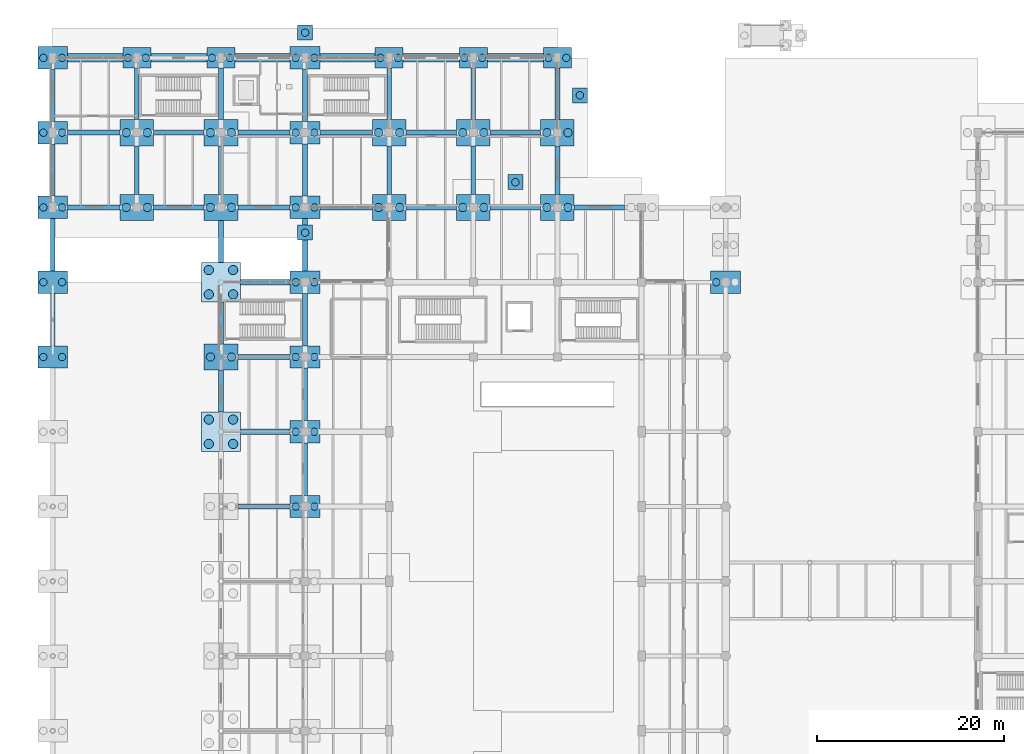
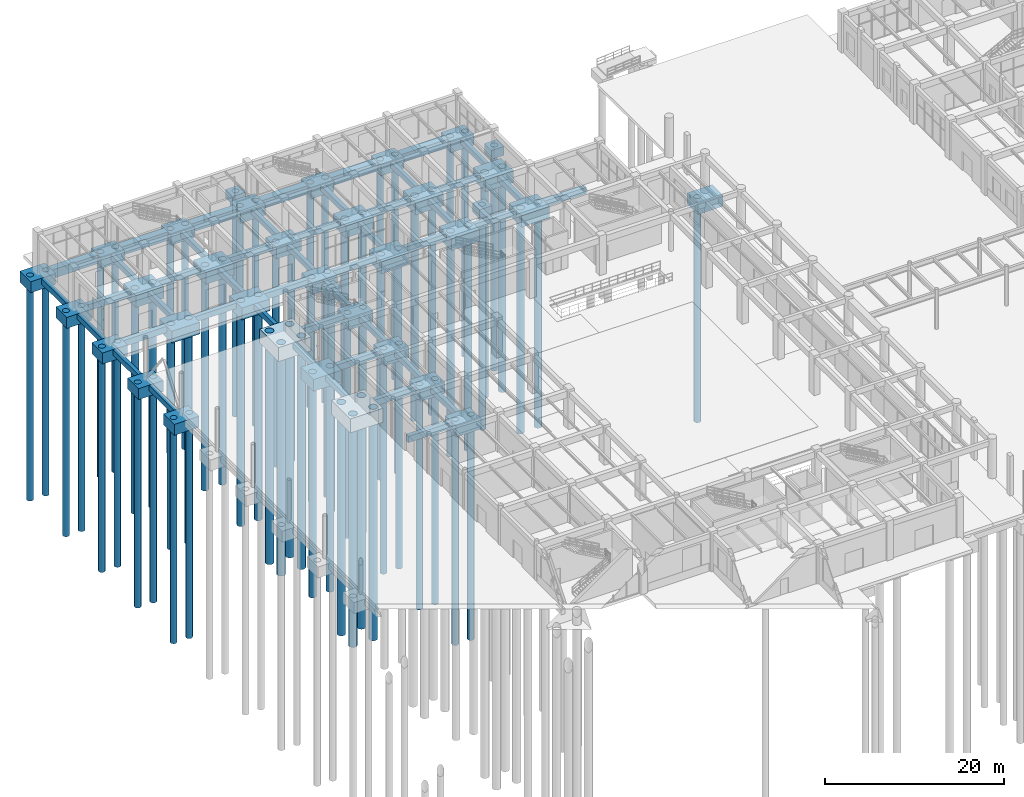
# One storey, part 2 of 121: 81 footings, 69 piles.
"""IFC4 building model written with IfcOpenShell, lengths in metres."""

from ifc_helpers import new_model, si_unit, derived_unit, direction, frame, origin, origin_2d, place, context, subcontext, project, spatial, rectangle, circle, extrude, material, material_profile, profile_set, type_object, element, save


model = new_model("IFC4")

# Units and contexts
model_context = context("Model", 3, precision=1e-05, world=origin(), true_north=direction((0.0, 1.0)))
body_context = subcontext(model_context, "Body", "Model", "MODEL_VIEW")
ifc_project = project(units=[si_unit("LENGTHUNIT", "METRE"), si_unit("AREAUNIT", "SQUARE_METRE"), si_unit("VOLUMEUNIT", "CUBIC_METRE"), si_unit("PLANEANGLEUNIT", "RADIAN"), si_unit("MASSUNIT", "GRAM", prefix="KILO"), derived_unit("THERMALTRANSMITTANCEUNIT", [(si_unit("MASSUNIT", "GRAM", prefix="KILO"), 1), (si_unit("TIMEUNIT", "SECOND"), -3), (si_unit("THERMODYNAMICTEMPERATUREUNIT", "KELVIN"), -1)])], contexts=[model_context])

# Site, building, storey
site_placement = place(None, origin())
site = spatial("IfcSite", under=ifc_project, at=site_placement, CompositionType="ELEMENT")
building_placement = place(site_placement, origin())
building = spatial("IfcBuilding", under=site, at=building_placement, Name="Zhenchuan Archway Interchange", CompositionType="ELEMENT")
storey_placement = place(building_placement, origin())
storey = spatial("IfcBuildingStorey", under=building, at=storey_placement, Name="L00", CompositionType="ELEMENT", Elevation=0.0)

# Footings
ifc_material_1 = material(Name="Concrete C40", Category="concrete")
ifc_material_profile_1 = material_profile(ifc_material_1, rectangle(XDim=0.550048828125, YDim=0.85009765625, at=origin_2d()), Name="RC 550x850")
ifc_profile_set_1 = profile_set([ifc_material_profile_1], Name="Concrete C40")
footing_type_1 = type_object("IfcFootingType", Name="FB_GROUND_3", PredefinedType="FOOTING_BEAM", material=ifc_profile_set_1)
footing_1_placement = place(storey_placement, frame((19.800048828125, 64.0, -0.844970703125), z_axis=(1.0, 0.0, 0.0), x_axis=(0.0, 1.0, 0.0)))
element("IfcFooting", 1, at=footing_1_placement, inside=storey, type_object=footing_type_1, Name="Ground tie beam J:3-4 (L00)", PredefinedType="FOOTING_BEAM", context=body_context, shape_type="SweptSolid", body=[
    extrude(rectangle(XDim=0.550048828125, YDim=0.85009765625, at=origin_2d()), origin(), (0.0, 0.0, 1.0), 5.599853515625),
])
footing_2_placement = place(storey_placement, frame((20.10009765625, 72.0, -0.844970703125), z_axis=(1.0, 0.0, 0.0), x_axis=(0.0, 1.0, 0.0)))
element("IfcFooting", 2, at=footing_2_placement, inside=storey, type_object=footing_type_1, Name="Ground tie beam K:3-4 (L00)", PredefinedType="FOOTING_BEAM", context=body_context, shape_type="SweptSolid", body=[
    extrude(rectangle(XDim=0.550048828125, YDim=0.85009765625, at=origin_2d()), origin(), (0.0, 0.0, 1.0), 5.2998046875),
])
footing_3_placement = place(storey_placement, frame((19.800048828125, 80.0, -0.844970703125), z_axis=(1.0, 0.0, 0.0), x_axis=(0.0, 1.0, 0.0)))
element("IfcFooting", 3, at=footing_3_placement, inside=storey, type_object=footing_type_1, Name="Ground tie beam L:3-4 (L00)", PredefinedType="FOOTING_BEAM", context=body_context, shape_type="SweptSolid", body=[
    extrude(rectangle(XDim=0.550048828125, YDim=0.85009765625, at=origin_2d()), origin(), (0.0, 0.0, 1.0), 5.599853515625),
])
footing_4_placement = place(storey_placement, frame((20.10009765625, 88.0, -0.844970703125), z_axis=(1.0, 0.0, 0.0), x_axis=(0.0, 1.0, 0.0)))
element("IfcFooting", 4, at=footing_4_placement, inside=storey, type_object=footing_type_1, Name="Ground tie beam M:3-4 (L00)", PredefinedType="FOOTING_BEAM", context=body_context, shape_type="SweptSolid", body=[
    extrude(rectangle(XDim=0.550048828125, YDim=0.85009765625, at=origin_2d()), origin(), (0.0, 0.0, 1.0), 5.2998046875),
])
for number, where, z_axis, x_axis, name in (
    (5, (1.60009765625, 96.0, -0.844970703125), (1.0, 0.0, 0.0), (0.0, 1.0, 0.0), "Ground tie beam N:1-2 (L00)"),
    (6, (19.800048828125, 96.0, -0.844970703125), (1.0, 0.0, 0.0), (0.0, 1.0, 0.0), "Ground tie beam N:3-4 (L00)"),
):
    element("IfcFooting", number, at=place(storey_placement, frame(where, z_axis=z_axis, x_axis=x_axis)), inside=storey, type_object=footing_type_1, Name=name, PredefinedType="FOOTING_BEAM", context=body_context, shape_type="SweptSolid", body=[
        extrude(rectangle(XDim=0.550048828125, YDim=0.85009765625, at=origin_2d()), origin(), (0.0, 0.0, 1.0), 5.599853515625),
    ])
for number, where, z_axis, x_axis, name in (
    (7, (37.800048828125, 96.0, -0.844970703125), (1.0, 0.0, 0.0), (0.0, 1.0, 0.0), "Ground tie beam N:5-6 (L00)"),
    (8, (55.800048828125, 96.0, -0.844970703125), (1.0, 0.0, 0.0), (0.0, 1.0, 0.0), "Ground tie beam N:7-8 (L00)"),
):
    element("IfcFooting", number, at=place(storey_placement, frame(where, z_axis=z_axis, x_axis=x_axis)), inside=storey, type_object=footing_type_1, Name=name, PredefinedType="FOOTING_BEAM", context=body_context, shape_type="SweptSolid", body=[
        extrude(rectangle(XDim=0.550048828125, YDim=0.85009765625, at=origin_2d()), origin(), (0.0, 0.0, 1.0), 5.39990234375),
    ])
for number, where, z_axis, x_axis, name in (
    (9, (1.60009765625, 104.0, -0.844970703125), (1.0, 0.0, 0.0), (0.0, 1.0, 0.0), "Ground tie beam O:1-2 (L00)"),
    (10, (19.800048828125, 104.0, -0.844970703125), (1.0, 0.0, 0.0), (0.0, 1.0, 0.0), "Ground tie beam O:3-4 (L00)"),
):
    element("IfcFooting", number, at=place(storey_placement, frame(where, z_axis=z_axis, x_axis=x_axis)), inside=storey, type_object=footing_type_1, Name=name, PredefinedType="FOOTING_BEAM", context=body_context, shape_type="SweptSolid", body=[
        extrude(rectangle(XDim=0.550048828125, YDim=0.85009765625, at=origin_2d()), origin(), (0.0, 0.0, 1.0), 5.599853515625),
    ])
footing_5_placement = place(storey_placement, frame((37.800048828125, 104.0, -0.844970703125), z_axis=(1.0, 0.0, 0.0), x_axis=(0.0, 1.0, 0.0)))
element("IfcFooting", 11, at=footing_5_placement, inside=storey, type_object=footing_type_1, Name="Ground tie beam O:5-6 (L00)", PredefinedType="FOOTING_BEAM", context=body_context, shape_type="SweptSolid", body=[
    extrude(rectangle(XDim=0.550048828125, YDim=0.85009765625, at=origin_2d()), origin(), (0.0, 0.0, 1.0), 5.39990234375),
])
ifc_material_profile_2 = material_profile(ifc_material_1, rectangle(XDim=0.5, YDim=0.75, at=origin_2d()), Name="RC 500x750")
ifc_profile_set_2 = profile_set([ifc_material_profile_2], Name="Concrete C40")
footing_type_2 = type_object("IfcFootingType", Name="FB_GROUND_4", PredefinedType="FOOTING_BEAM", material=ifc_profile_set_2)
footing_6_placement = place(storey_placement, frame((10.800048828125, 96.0, -0.794921875), z_axis=(1.0, 0.0, 0.0), x_axis=(0.0, 1.0, 0.0)))
element("IfcFooting", 12, at=footing_6_placement, inside=storey, type_object=footing_type_2, Name="Ground tie beam N:2-3 (L00)", PredefinedType="FOOTING_BEAM", context=body_context, shape_type="SweptSolid", body=[
    extrude(rectangle(XDim=0.5, YDim=0.75, at=origin_2d()), origin(), (0.0, 0.0, 1.0), 5.39990234375),
])
footing_7_placement = place(storey_placement, frame((28.60009765625, 96.0, -0.794921875), z_axis=(1.0, 0.0, 0.0), x_axis=(0.0, 1.0, 0.0)))
element("IfcFooting", 13, at=footing_7_placement, inside=storey, type_object=footing_type_2, Name="Ground tie beam N:4-5 (L00)", PredefinedType="FOOTING_BEAM", context=body_context, shape_type="SweptSolid", body=[
    extrude(rectangle(XDim=0.5, YDim=0.75, at=origin_2d()), origin(), (0.0, 0.0, 1.0), 5.599853515625),
])
for number, where, z_axis, x_axis, name in (
    (14, (46.800048828125, 96.0, -0.794921875), (1.0, 0.0, 0.0), (0.0, 1.0, 0.0), "Ground tie beam N:6-7 (L00)"),
    (15, (10.800048828125, 104.0, -0.794921875), (1.0, 0.0, 0.0), (0.0, 1.0, 0.0), "Ground tie beam O:2-3 (L00)"),
):
    element("IfcFooting", number, at=place(storey_placement, frame(where, z_axis=z_axis, x_axis=x_axis)), inside=storey, type_object=footing_type_2, Name=name, PredefinedType="FOOTING_BEAM", context=body_context, shape_type="SweptSolid", body=[
        extrude(rectangle(XDim=0.5, YDim=0.75, at=origin_2d()), origin(), (0.0, 0.0, 1.0), 5.39990234375),
    ])
footing_8_placement = place(storey_placement, frame((28.60009765625, 104.0, -0.794921875), z_axis=(1.0, 0.0, 0.0), x_axis=(0.0, 1.0, 0.0)))
element("IfcFooting", 16, at=footing_8_placement, inside=storey, type_object=footing_type_2, Name="Ground tie beam O:4-5 (L00)", PredefinedType="FOOTING_BEAM", context=body_context, shape_type="SweptSolid", body=[
    extrude(rectangle(XDim=0.5, YDim=0.75, at=origin_2d()), origin(), (0.0, 0.0, 1.0), 5.599853515625),
])
footing_9_placement = place(storey_placement, frame((46.800048828125, 104.0, -0.794921875), z_axis=(1.0, 0.0, 0.0), x_axis=(0.0, 1.0, 0.0)))
element("IfcFooting", 17, at=footing_9_placement, inside=storey, type_object=footing_type_2, Name="Ground tie beam O:6-7 (L00)", PredefinedType="FOOTING_BEAM", context=body_context, shape_type="SweptSolid", body=[
    extrude(rectangle(XDim=0.5, YDim=0.75, at=origin_2d()), origin(), (0.0, 0.0, 1.0), 5.39990234375),
])
for number, where, z_axis, x_axis, name in (
    (18, (0.0, 81.199951171875, -0.794921875), (0.0, 1.0, 0.0), (-1.0, 0.0, 0.0), "Ground tie beam 1:L-M (L00)"),
    (19, (0.0, 89.199951171875, -0.794921875), (0.0, 1.0, 0.0), (-1.0, 0.0, 0.0), "Ground tie beam 1:M-N (L00)"),
    (20, (0.0, 97.199951171875, -0.794921875), (0.0, 1.0, 0.0), (-1.0, 0.0, 0.0), "Ground tie beam 1:N-O (L00)"),
    (21, (0.0, 105.199951171875, -0.794921875), (0.0, 1.0, 0.0), (-1.0, 0.0, 0.0), "Ground tie beam 1:O-P (L00)"),
):
    element("IfcFooting", number, at=place(storey_placement, frame(where, z_axis=z_axis, x_axis=x_axis)), inside=storey, type_object=footing_type_2, Name=name, PredefinedType="FOOTING_BEAM", context=body_context, shape_type="SweptSolid", body=[
        extrude(rectangle(XDim=0.5, YDim=0.75, at=origin_2d()), origin(), (0.0, 0.0, 1.0), 5.60009765625),
    ])
footing_10_placement = place(storey_placement, frame((9.0, 97.39990234375, -0.794921875), z_axis=(0.0, 1.0, 0.0), x_axis=(-1.0, 0.0, 0.0)))
element("IfcFooting", 22, at=footing_10_placement, inside=storey, type_object=footing_type_2, Name="Ground tie beam 2:N-O (L00)", PredefinedType="FOOTING_BEAM", context=body_context, shape_type="SweptSolid", body=[
    extrude(rectangle(XDim=0.5, YDim=0.75, at=origin_2d()), origin(), (0.0, 0.0, 1.0), 5.2001953125),
])
footing_11_placement = place(storey_placement, frame((9.0, 105.39990234375, -0.794921875), z_axis=(0.0, 1.0, 0.0), x_axis=(-1.0, 0.0, 0.0)))
element("IfcFooting", 23, at=footing_11_placement, inside=storey, type_object=footing_type_2, Name="Ground tie beam 2:O-P (L00)", PredefinedType="FOOTING_BEAM", context=body_context, shape_type="SweptSolid", body=[
    extrude(rectangle(XDim=0.5, YDim=0.75, at=origin_2d()), origin(), (0.0, 0.0, 1.0), 5.5),
])
for number, where, z_axis, x_axis, name in (
    (24, (18.0, 74.10009765625, -0.794921875), (0.0, 1.0, 0.0), (-1.0, 0.0, 0.0), "Ground tie beam 3:K-L (L00)"),
    (25, (18.0, 81.39990234375, -0.794921875), (0.0, 1.0, 0.0), (-1.0, 0.0, 0.0), "Ground tie beam 3:L-M (L00)"),
    (26, (18.0, 90.10009765625, -0.794921875), (0.0, 1.0, 0.0), (-1.0, 0.0, 0.0), "Ground tie beam 3:M-N (L00)"),
):
    element("IfcFooting", number, at=place(storey_placement, frame(where, z_axis=z_axis, x_axis=x_axis)), inside=storey, type_object=footing_type_2, Name=name, PredefinedType="FOOTING_BEAM", context=body_context, shape_type="SweptSolid", body=[
        extrude(rectangle(XDim=0.5, YDim=0.75, at=origin_2d()), origin(), (0.0, 0.0, 1.0), 4.5),
    ])
footing_12_placement = place(storey_placement, frame((18.0, 97.39990234375, -0.794921875), z_axis=(0.0, 1.0, 0.0), x_axis=(-1.0, 0.0, 0.0)))
element("IfcFooting", 27, at=footing_12_placement, inside=storey, type_object=footing_type_2, Name="Ground tie beam 3:N-O (L00)", PredefinedType="FOOTING_BEAM", context=body_context, shape_type="SweptSolid", body=[
    extrude(rectangle(XDim=0.5, YDim=0.75, at=origin_2d()), origin(), (0.0, 0.0, 1.0), 5.2001953125),
])
footing_13_placement = place(storey_placement, frame((18.0, 105.39990234375, -0.794921875), z_axis=(0.0, 1.0, 0.0), x_axis=(-1.0, 0.0, 0.0)))
element("IfcFooting", 28, at=footing_13_placement, inside=storey, type_object=footing_type_2, Name="Ground tie beam 3:O-P (L00)", PredefinedType="FOOTING_BEAM", context=body_context, shape_type="SweptSolid", body=[
    extrude(rectangle(XDim=0.5, YDim=0.75, at=origin_2d()), origin(), (0.0, 0.0, 1.0), 5.5),
])
for number, where, z_axis, x_axis, name in (
    (29, (27.0, 65.199951171875, -0.794921875), (0.0, 1.0, 0.0), (-1.0, 0.0, 0.0), "Ground tie beam 4:J-K (L00)"),
    (30, (27.0, 73.199951171875, -0.794921875), (0.0, 1.0, 0.0), (-1.0, 0.0, 0.0), "Ground tie beam 4:K-L (L00)"),
    (31, (27.0, 81.199951171875, -0.794921875), (0.0, 1.0, 0.0), (-1.0, 0.0, 0.0), "Ground tie beam 4:L-M (L00)"),
    (32, (27.0, 89.199951171875, -0.794921875), (0.0, 1.0, 0.0), (-1.0, 0.0, 0.0), "Ground tie beam 4:M-N (L00)"),
    (33, (27.0, 97.199951171875, -0.794921875), (0.0, 1.0, 0.0), (-1.0, 0.0, 0.0), "Ground tie beam 4:N-O (L00)"),
    (34, (27.0, 105.199951171875, -0.794921875), (0.0, 1.0, 0.0), (-1.0, 0.0, 0.0), "Ground tie beam 4:O-P (L00)"),
):
    element("IfcFooting", number, at=place(storey_placement, frame(where, z_axis=z_axis, x_axis=x_axis)), inside=storey, type_object=footing_type_2, Name=name, PredefinedType="FOOTING_BEAM", context=body_context, shape_type="SweptSolid", body=[
        extrude(rectangle(XDim=0.5, YDim=0.75, at=origin_2d()), origin(), (0.0, 0.0, 1.0), 5.60009765625),
    ])
footing_14_placement = place(storey_placement, frame((36.0, 97.39990234375, -0.794921875), z_axis=(0.0, 1.0, 0.0), x_axis=(-1.0, 0.0, 0.0)))
element("IfcFooting", 35, at=footing_14_placement, inside=storey, type_object=footing_type_2, Name="Ground tie beam 5:N-O (L00)", PredefinedType="FOOTING_BEAM", context=body_context, shape_type="SweptSolid", body=[
    extrude(rectangle(XDim=0.5, YDim=0.75, at=origin_2d()), origin(), (0.0, 0.0, 1.0), 5.2001953125),
])
footing_15_placement = place(storey_placement, frame((36.0, 105.39990234375, -0.794921875), z_axis=(0.0, 1.0, 0.0), x_axis=(-1.0, 0.0, 0.0)))
element("IfcFooting", 36, at=footing_15_placement, inside=storey, type_object=footing_type_2, Name="Ground tie beam 5:O-P (L00)", PredefinedType="FOOTING_BEAM", context=body_context, shape_type="SweptSolid", body=[
    extrude(rectangle(XDim=0.5, YDim=0.75, at=origin_2d()), origin(), (0.0, 0.0, 1.0), 5.5),
])
footing_16_placement = place(storey_placement, frame((45.0, 97.39990234375, -0.794921875), z_axis=(0.0, 1.0, 0.0), x_axis=(-1.0, 0.0, 0.0)))
element("IfcFooting", 37, at=footing_16_placement, inside=storey, type_object=footing_type_2, Name="Ground tie beam 6:N-O (L00)", PredefinedType="FOOTING_BEAM", context=body_context, shape_type="SweptSolid", body=[
    extrude(rectangle(XDim=0.5, YDim=0.75, at=origin_2d()), origin(), (0.0, 0.0, 1.0), 5.2001953125),
])
footing_17_placement = place(storey_placement, frame((45.0, 105.39990234375, -0.794921875), z_axis=(0.0, 1.0, 0.0), x_axis=(-1.0, 0.0, 0.0)))
element("IfcFooting", 38, at=footing_17_placement, inside=storey, type_object=footing_type_2, Name="Ground tie beam 6:O-P (L00)", PredefinedType="FOOTING_BEAM", context=body_context, shape_type="SweptSolid", body=[
    extrude(rectangle(XDim=0.5, YDim=0.75, at=origin_2d()), origin(), (0.0, 0.0, 1.0), 5.5),
])
footing_18_placement = place(storey_placement, frame((54.0, 97.39990234375, -0.794921875), z_axis=(0.0, 1.0, 0.0), x_axis=(-1.0, 0.0, 0.0)))
element("IfcFooting", 39, at=footing_18_placement, inside=storey, type_object=footing_type_2, Name="Ground tie beam 7:N-O (L00)", PredefinedType="FOOTING_BEAM", context=body_context, shape_type="SweptSolid", body=[
    extrude(rectangle(XDim=0.5, YDim=0.75, at=origin_2d()), origin(), (0.0, 0.0, 1.0), 5.2001953125),
])
footing_19_placement = place(storey_placement, frame((54.0, 105.39990234375, -0.794921875), z_axis=(0.0, 1.0, 0.0), x_axis=(-1.0, 0.0, 0.0)))
element("IfcFooting", 40, at=footing_19_placement, inside=storey, type_object=footing_type_2, Name="Ground tie beam 7:O-P (L00)", PredefinedType="FOOTING_BEAM", context=body_context, shape_type="SweptSolid", body=[
    extrude(rectangle(XDim=0.5, YDim=0.75, at=origin_2d()), origin(), (0.0, 0.0, 1.0), 5.5),
])
ifc_material_profile_3 = material_profile(ifc_material_1, rectangle(XDim=0.89990234375, YDim=1.159912109375, at=origin_2d()), Name="RC 900x1160")
ifc_profile_set_3 = profile_set([ifc_material_profile_3], Name="Concrete C40")
footing_type_3 = type_object("IfcFootingType", Name="FB_PLINTH_CURB", PredefinedType="STRIP_FOOTING", material=ifc_profile_set_3)
footing_20_placement = place(storey_placement, frame((1.60009765625, 112.0, -1.0), z_axis=(1.0, 0.0, 0.0), x_axis=(0.0, 1.0, 0.0)))
element("IfcFooting", 41, at=footing_20_placement, inside=storey, type_object=footing_type_3, Name="Perimeter strip footing P:1-2 (L00)", PredefinedType="STRIP_FOOTING", context=body_context, shape_type="SweptSolid", body=[
    extrude(rectangle(XDim=0.89990234375, YDim=1.159912109375, at=origin_2d()), origin(), (0.0, 0.0, 1.0), 5.89990234375),
])
footing_21_placement = place(storey_placement, frame((10.5, 112.0, -1.0), z_axis=(1.0, 0.0, 0.0), x_axis=(0.0, 1.0, 0.0)))
element("IfcFooting", 42, at=footing_21_placement, inside=storey, type_object=footing_type_3, Name="Perimeter strip footing P:2-3 (L00)", PredefinedType="STRIP_FOOTING", context=body_context, shape_type="SweptSolid", body=[
    extrude(rectangle(XDim=0.89990234375, YDim=1.159912109375, at=origin_2d()), origin(), (0.0, 0.0, 1.0), 6.0),
])
for number, where, z_axis, x_axis, name in (
    (43, (19.5, 112.0, -1.0), (1.0, 0.0, 0.0), (0.0, 1.0, 0.0), "Perimeter strip footing P:3-4 (L00)"),
    (44, (28.60009765625, 112.0, -1.0), (1.0, 0.0, 0.0), (0.0, 1.0, 0.0), "Perimeter strip footing P:4-5 (L00)"),
):
    element("IfcFooting", number, at=place(storey_placement, frame(where, z_axis=z_axis, x_axis=x_axis)), inside=storey, type_object=footing_type_3, Name=name, PredefinedType="STRIP_FOOTING", context=body_context, shape_type="SweptSolid", body=[
        extrude(rectangle(XDim=0.89990234375, YDim=1.159912109375, at=origin_2d()), origin(), (0.0, 0.0, 1.0), 5.89990234375),
    ])
for number, where, z_axis, x_axis, name in (
    (45, (37.5, 112.0, -1.0), (1.0, 0.0, 0.0), (0.0, 1.0, 0.0), "Perimeter strip footing P:5-6 (L00)"),
    (46, (46.5, 112.0, -1.0), (1.0, 0.0, 0.0), (0.0, 1.0, 0.0), "Perimeter strip footing P:6-7 (L00)"),
):
    element("IfcFooting", number, at=place(storey_placement, frame(where, z_axis=z_axis, x_axis=x_axis)), inside=storey, type_object=footing_type_3, Name=name, PredefinedType="STRIP_FOOTING", context=body_context, shape_type="SweptSolid", body=[
        extrude(rectangle(XDim=0.89990234375, YDim=1.159912109375, at=origin_2d()), origin(), (0.0, 0.0, 1.0), 6.0),
    ])
footing_type_4 = type_object("IfcFootingType", Name="PAD_EQUIP_4", PredefinedType="PAD_FOOTING", material=ifc_material_1)
for number, where, z_axis, x_axis, name in (
    (47, (49.5, 98.699951171875, -1.6201171875), (0.0, 0.0, 1.0), (1.0, 0.0, 0.0), "Walkway curb footing ENTN"),
    (48, (27.0, 93.300048828125, -1.6201171875), (0.0, 0.0, 1.0), (1.0, 0.0, 0.0), "Walkway curb footing TRMS"),
    (49, (56.39990234375, 108.0, -1.6201171875), (0.0, 0.0, 1.0), (1.0, 0.0, 0.0), "Walkway curb footing TRME"),
    (50, (27.0, 114.699951171875, -1.6201171875), (0.0, 0.0, 1.0), (1.0, 0.0, 0.0), "Walkway curb footing TRMN"),
):
    element("IfcFooting", number, at=place(storey_placement, frame(where, z_axis=z_axis, x_axis=x_axis)), inside=storey, type_object=footing_type_4, Name=name, PredefinedType="PAD_FOOTING", context=body_context, shape_type="SweptSolid", body=[
        extrude(rectangle(XDim=1.60009765625, YDim=1.60009765625, at=origin_2d()), origin(), (0.0, 0.0, 1.0), 1.199951171875),
    ])
footing_type_5 = type_object("IfcFootingType", Name="PC_C_36x28", PredefinedType="PILE_CAP", material=ifc_material_1)
for number, where, z_axis, x_axis, name in (
    (51, (9.0, 96.0, -2.0400390625), (0.0, 0.0, 1.0), (1.0, 0.0, 0.0), "Pile cap PC-15 at 2/N (L00)"),
    (52, (9.0, 104.0, -2.0400390625), (0.0, 0.0, 1.0), (1.0, 0.0, 0.0), "Pile cap PC-15 at 2/O (L00)"),
    (53, (18.0, 80.0, -2.0400390625), (0.0, 0.0, 1.0), (1.0, 0.0, 0.0), "Pile cap PC-15 at 3/L (L00)"),
    (54, (18.0, 96.0, -2.0400390625), (0.0, 0.0, 1.0), (1.0, 0.0, 0.0), "Pile cap PC-15 at 3/N (L00)"),
    (55, (18.0, 104.0, -2.0400390625), (0.0, 0.0, 1.0), (1.0, 0.0, 0.0), "Pile cap PC-15 at 3/O (L00)"),
    (56, (36.0, 96.0, -2.0400390625), (0.0, 0.0, 1.0), (1.0, 0.0, 0.0), "Pile cap PC-15 at 5/N (L00)"),
    (57, (36.0, 104.0, -2.0400390625), (0.0, 0.0, 1.0), (1.0, 0.0, 0.0), "Pile cap PC-15 at 5/O (L00)"),
    (58, (45.0, 96.0, -2.0400390625), (0.0, 0.0, 1.0), (1.0, 0.0, 0.0), "Pile cap PC-15 at 6/N (L00)"),
    (59, (45.0, 104.0, -2.0400390625), (0.0, 0.0, 1.0), (1.0, 0.0, 0.0), "Pile cap PC-15 at 6/O (L00)"),
    (60, (54.0, 96.0, -2.0400390625), (0.0, 0.0, 1.0), (1.0, 0.0, 0.0), "Pile cap PC-15 at 7/N (L00)"),
    (61, (54.0, 104.0, -2.0400390625), (0.0, 0.0, 1.0), (1.0, 0.0, 0.0), "Pile cap PC-15 at 7/O (L00)"),
):
    element("IfcFooting", number, at=place(storey_placement, frame(where, z_axis=z_axis, x_axis=x_axis)), inside=storey, type_object=footing_type_5, Name=name, PredefinedType="PILE_CAP", context=body_context, shape_type="SweptSolid", body=[
        extrude(rectangle(XDim=3.60009765625, YDim=2.800048828125, at=origin_2d()), origin(), (0.0, 0.0, 1.0), 1.6201171875),
    ])
footing_type_6 = type_object("IfcFootingType", Name="PC_C_42x42", PredefinedType="PILE_CAP", material=ifc_material_1)
for number, where, z_axis, x_axis, name in (
    (62, (18.0, 72.0, -2.320068359375), (0.0, 0.0, 1.0), (1.0, 0.0, 0.0), "Pile cap PC-04 at 3/K (L00)"),
    (63, (18.0, 88.0, -2.320068359375), (0.0, 0.0, 1.0), (1.0, 0.0, 0.0), "Pile cap PC-04 at 3/M (L00)"),
):
    element("IfcFooting", number, at=place(storey_placement, frame(where, z_axis=z_axis, x_axis=x_axis)), inside=storey, type_object=footing_type_6, Name=name, PredefinedType="PILE_CAP", context=body_context, shape_type="SweptSolid", body=[
        extrude(rectangle(XDim=4.199951171875, YDim=4.199951171875, at=origin_2d()), origin(), (0.0, 0.0, 1.0), 1.89990234375),
    ])
footing_type_7 = type_object("IfcFootingType", Name="PC_E_30x22", PredefinedType="PILE_CAP", material=ifc_material_1)
for number, where, z_axis, x_axis, name in (
    (64, (9.0, 112.0, -1.8701171875), (0.0, 0.0, 1.0), (1.0, 0.0, 0.0), "Pile cap PC-14 at 2/P (L00)"),
    (65, (18.0, 112.0, -1.8701171875), (0.0, 0.0, 1.0), (1.0, 0.0, 0.0), "Pile cap PC-14 at 3/P (L00)"),
    (66, (36.0, 112.0, -1.8701171875), (0.0, 0.0, 1.0), (1.0, 0.0, 0.0), "Pile cap PC-14 at 5/P (L00)"),
    (67, (45.0, 112.0, -1.8701171875), (0.0, 0.0, 1.0), (1.0, 0.0, 0.0), "Pile cap PC-14 at 6/P (L00)"),
    (68, (54.0, 112.0, -1.8701171875), (0.0, 0.0, 1.0), (1.0, 0.0, 0.0), "Pile cap PC-14 at 7/P (L00)"),
):
    element("IfcFooting", number, at=place(storey_placement, frame(where, z_axis=z_axis, x_axis=x_axis)), inside=storey, type_object=footing_type_7, Name=name, PredefinedType="PILE_CAP", context=body_context, shape_type="SweptSolid", body=[
        extrude(rectangle(XDim=3.0, YDim=2.199951171875, at=origin_2d()), origin(), (0.0, 0.0, 1.0), 1.449951171875),
    ])
footing_type_8 = type_object("IfcFootingType", Name="PC_E_32x24", PredefinedType="PILE_CAP", material=ifc_material_1)
for number, where, z_axis, x_axis, name in (
    (69, (0.0, 80.0, -1.919921875), (0.0, 0.0, 1.0), (1.0, 0.0, 0.0), "Pile cap PC-12 at 1/L (L00)"),
    (70, (0.0, 88.0, -1.919921875), (0.0, 0.0, 1.0), (1.0, 0.0, 0.0), "Pile cap PC-12 at 1/M (L00)"),
    (71, (0.0, 96.0, -1.919921875), (0.0, 0.0, 1.0), (1.0, 0.0, 0.0), "Pile cap PC-12 at 1/N (L00)"),
    (72, (0.0, 104.0, -1.919921875), (0.0, 0.0, 1.0), (1.0, 0.0, 0.0), "Pile cap PC-12 at 1/O (L00)"),
    (73, (0.0, 112.0, -1.919921875), (0.0, 0.0, 1.0), (1.0, 0.0, 0.0), "Pile cap PC-12 at 1/P (L00)"),
    (74, (27.0, 64.0, -1.919921875), (0.0, 0.0, 1.0), (1.0, 0.0, 0.0), "Pile cap PC-12 at 4/J (L00)"),
    (75, (27.0, 72.0, -1.919921875), (0.0, 0.0, 1.0), (1.0, 0.0, 0.0), "Pile cap PC-12 at 4/K (L00)"),
    (76, (27.0, 80.0, -1.919921875), (0.0, 0.0, 1.0), (1.0, 0.0, 0.0), "Pile cap PC-12 at 4/L (L00)"),
    (77, (27.0, 88.0, -1.919921875), (0.0, 0.0, 1.0), (1.0, 0.0, 0.0), "Pile cap PC-12 at 4/M (L00)"),
    (78, (27.0, 96.0, -1.919921875), (0.0, 0.0, 1.0), (1.0, 0.0, 0.0), "Pile cap PC-12 at 4/N (L00)"),
    (79, (27.0, 104.0, -1.919921875), (0.0, 0.0, 1.0), (1.0, 0.0, 0.0), "Pile cap PC-12 at 4/O (L00)"),
    (80, (27.0, 112.0, -1.919921875), (0.0, 0.0, 1.0), (1.0, 0.0, 0.0), "Pile cap PC-12 at 4/P (L00)"),
    (81, (72.0, 88.0, -1.919921875), (0.0, 0.0, 1.0), (1.0, 0.0, 0.0), "Pile cap PC-12 at 9/M (L00)"),
):
    element("IfcFooting", number, at=place(storey_placement, frame(where, z_axis=z_axis, x_axis=x_axis)), inside=storey, type_object=footing_type_8, Name=name, PredefinedType="PILE_CAP", context=body_context, shape_type="SweptSolid", body=[
        extrude(rectangle(XDim=3.199951171875, YDim=2.39990234375, at=origin_2d()), origin(), (0.0, 0.0, 1.0), 1.5),
    ])

# Piles
ifc_material_2 = material(Name="Concrete C35", Category="concrete")
ifc_material_profile_4 = material_profile(ifc_material_2, circle(Radius=0.5, at=origin_2d()), Name="BORED PILE 1000")
ifc_profile_set_4 = profile_set([ifc_material_profile_4], Name="Concrete C35")
pile_type_1 = type_object("IfcPileType", Name="PILE_D1000", PredefinedType="BORED", material=ifc_profile_set_4)
for number, where, z_axis, x_axis, name in (
    (82, (16.699951171875, 70.699951171875, -0.419921875), (0.0, 0.0, -1.0), (1.0, 0.0, 0.0), "Bored pile at 3/K #1 (L00)"),
    (83, (19.300048828125, 70.699951171875, -0.419921875), (0.0, 0.0, -1.0), (1.0, 0.0, 0.0), "Bored pile at 3/K #2 (L00)"),
    (84, (16.699951171875, 73.300048828125, -0.419921875), (0.0, 0.0, -1.0), (1.0, 0.0, 0.0), "Bored pile at 3/K #3 (L00)"),
    (85, (19.300048828125, 73.300048828125, -0.419921875), (0.0, 0.0, -1.0), (1.0, 0.0, 0.0), "Bored pile at 3/K #4 (L00)"),
    (86, (16.699951171875, 86.699951171875, -0.419921875), (0.0, 0.0, -1.0), (1.0, 0.0, 0.0), "Bored pile at 3/M #1 (L00)"),
    (87, (19.300048828125, 86.699951171875, -0.419921875), (0.0, 0.0, -1.0), (1.0, 0.0, 0.0), "Bored pile at 3/M #2 (L00)"),
    (88, (16.699951171875, 89.300048828125, -0.419921875), (0.0, 0.0, -1.0), (1.0, 0.0, 0.0), "Bored pile at 3/M #3 (L00)"),
    (89, (19.300048828125, 89.300048828125, -0.419921875), (0.0, 0.0, -1.0), (1.0, 0.0, 0.0), "Bored pile at 3/M #4 (L00)"),
):
    element("IfcPile", number, at=place(storey_placement, frame(where, z_axis=z_axis, x_axis=x_axis)), inside=storey, type_object=pile_type_1, Name=name, PredefinedType="BORED", context=body_context, shape_type="SweptSolid", body=[
        extrude(circle(Radius=0.5, at=origin_2d()), origin(), (0.0, 0.0, 1.0), 31.5),
    ])
ifc_material_profile_5 = material_profile(ifc_material_2, circle(Radius=0.39990234375, at=origin_2d()), Name="BORED PILE 800")
ifc_profile_set_5 = profile_set([ifc_material_profile_5], Name="Concrete C35")
pile_type_2 = type_object("IfcPileType", Name="PILE_D800", PredefinedType="BORED", material=ifc_profile_set_5)
for number, where, z_axis, x_axis, name in (
    (90, (-1.0, 80.0, -0.419921875), (0.0, 0.0, -1.0), (1.0, 0.0, 0.0), "Bored pile at 1/L #1 (L00)"),
    (91, (1.0, 80.0, -0.419921875), (0.0, 0.0, -1.0), (1.0, 0.0, 0.0), "Bored pile at 1/L #2 (L00)"),
    (92, (-1.0, 88.0, -0.419921875), (0.0, 0.0, -1.0), (1.0, 0.0, 0.0), "Bored pile at 1/M #1 (L00)"),
    (93, (1.0, 88.0, -0.419921875), (0.0, 0.0, -1.0), (1.0, 0.0, 0.0), "Bored pile at 1/M #2 (L00)"),
    (94, (-1.0, 96.0, -0.419921875), (0.0, 0.0, -1.0), (1.0, 0.0, 0.0), "Bored pile at 1/N #1 (L00)"),
    (95, (1.0, 96.0, -0.419921875), (0.0, 0.0, -1.0), (1.0, 0.0, 0.0), "Bored pile at 1/N #2 (L00)"),
    (96, (-1.0, 104.0, -0.419921875), (0.0, 0.0, -1.0), (1.0, 0.0, 0.0), "Bored pile at 1/O #1 (L00)"),
    (97, (1.0, 104.0, -0.419921875), (0.0, 0.0, -1.0), (1.0, 0.0, 0.0), "Bored pile at 1/O #2 (L00)"),
    (98, (-1.0, 112.0, -0.419921875), (0.0, 0.0, -1.0), (1.0, 0.0, 0.0), "Bored pile at 1/P #1 (L00)"),
    (99, (1.0, 112.0, -0.419921875), (0.0, 0.0, -1.0), (1.0, 0.0, 0.0), "Bored pile at 1/P #2 (L00)"),
    (100, (8.050048828125, 112.0, -0.419921875), (0.0, 0.0, -1.0), (1.0, 0.0, 0.0), "Bored pile at 2/P #1 (L00)"),
    (101, (9.949951171875, 112.0, -0.419921875), (0.0, 0.0, -1.0), (1.0, 0.0, 0.0), "Bored pile at 2/P #2 (L00)"),
    (102, (17.050048828125, 112.0, -0.419921875), (0.0, 0.0, -1.0), (1.0, 0.0, 0.0), "Bored pile at 3/P #1 (L00)"),
    (103, (18.949951171875, 112.0, -0.419921875), (0.0, 0.0, -1.0), (1.0, 0.0, 0.0), "Bored pile at 3/P #2 (L00)"),
    (104, (26.0, 64.0, -0.419921875), (0.0, 0.0, -1.0), (1.0, 0.0, 0.0), "Bored pile at 4/J #1 (L00)"),
    (105, (28.0, 64.0, -0.419921875), (0.0, 0.0, -1.0), (1.0, 0.0, 0.0), "Bored pile at 4/J #2 (L00)"),
    (106, (26.0, 72.0, -0.419921875), (0.0, 0.0, -1.0), (1.0, 0.0, 0.0), "Bored pile at 4/K #1 (L00)"),
    (107, (28.0, 72.0, -0.419921875), (0.0, 0.0, -1.0), (1.0, 0.0, 0.0), "Bored pile at 4/K #2 (L00)"),
    (108, (26.0, 80.0, -0.419921875), (0.0, 0.0, -1.0), (1.0, 0.0, 0.0), "Bored pile at 4/L #1 (L00)"),
    (109, (28.0, 80.0, -0.419921875), (0.0, 0.0, -1.0), (1.0, 0.0, 0.0), "Bored pile at 4/L #2 (L00)"),
    (110, (26.0, 88.0, -0.419921875), (0.0, 0.0, -1.0), (1.0, 0.0, 0.0), "Bored pile at 4/M #1 (L00)"),
    (111, (28.0, 88.0, -0.419921875), (0.0, 0.0, -1.0), (1.0, 0.0, 0.0), "Bored pile at 4/M #2 (L00)"),
    (112, (26.0, 96.0, -0.419921875), (0.0, 0.0, -1.0), (1.0, 0.0, 0.0), "Bored pile at 4/N #1 (L00)"),
    (113, (28.0, 96.0, -0.419921875), (0.0, 0.0, -1.0), (1.0, 0.0, 0.0), "Bored pile at 4/N #2 (L00)"),
    (114, (26.0, 104.0, -0.419921875), (0.0, 0.0, -1.0), (1.0, 0.0, 0.0), "Bored pile at 4/O #1 (L00)"),
    (115, (28.0, 104.0, -0.419921875), (0.0, 0.0, -1.0), (1.0, 0.0, 0.0), "Bored pile at 4/O #2 (L00)"),
    (116, (26.0, 112.0, -0.419921875), (0.0, 0.0, -1.0), (1.0, 0.0, 0.0), "Bored pile at 4/P #1 (L00)"),
    (117, (28.0, 112.0, -0.419921875), (0.0, 0.0, -1.0), (1.0, 0.0, 0.0), "Bored pile at 4/P #2 (L00)"),
    (118, (35.050048828125, 112.0, -0.419921875), (0.0, 0.0, -1.0), (1.0, 0.0, 0.0), "Bored pile at 5/P #1 (L00)"),
    (119, (36.949951171875, 112.0, -0.419921875), (0.0, 0.0, -1.0), (1.0, 0.0, 0.0), "Bored pile at 5/P #2 (L00)"),
    (120, (44.050048828125, 112.0, -0.419921875), (0.0, 0.0, -1.0), (1.0, 0.0, 0.0), "Bored pile at 6/P #1 (L00)"),
    (121, (45.949951171875, 112.0, -0.419921875), (0.0, 0.0, -1.0), (1.0, 0.0, 0.0), "Bored pile at 6/P #2 (L00)"),
    (122, (53.050048828125, 112.0, -0.419921875), (0.0, 0.0, -1.0), (1.0, 0.0, 0.0), "Bored pile at 7/P #1 (L00)"),
    (123, (54.949951171875, 112.0, -0.419921875), (0.0, 0.0, -1.0), (1.0, 0.0, 0.0), "Bored pile at 7/P #2 (L00)"),
    (124, (71.0, 88.0, -0.419921875), (0.0, 0.0, -1.0), (1.0, 0.0, 0.0), "Bored pile at 9/M #1 (L00)"),
    (125, (49.5, 98.699951171875, -0.419921875), (0.0, 0.0, -1.0), (1.0, 0.0, 0.0), "Walkway curb pile ENTN"),
    (126, (27.0, 93.300048828125, -0.419921875), (0.0, 0.0, -1.0), (1.0, 0.0, 0.0), "Walkway curb pile TRMS"),
    (127, (56.39990234375, 108.0, -0.419921875), (0.0, 0.0, -1.0), (1.0, 0.0, 0.0), "Walkway curb pile TRME"),
    (128, (27.0, 114.699951171875, -0.419921875), (0.0, 0.0, -1.0), (1.0, 0.0, 0.0), "Walkway curb pile TRMN"),
):
    element("IfcPile", number, at=place(storey_placement, frame(where, z_axis=z_axis, x_axis=x_axis)), inside=storey, type_object=pile_type_2, Name=name, PredefinedType="BORED", context=body_context, shape_type="SweptSolid", body=[
        extrude(circle(Radius=0.39990234375, at=origin_2d()), origin(), (0.0, 0.0, 1.0), 30.5),
    ])
ifc_material_profile_6 = material_profile(ifc_material_2, circle(Radius=0.449951171875, at=origin_2d()), Name="BORED PILE 900")
ifc_profile_set_6 = profile_set([ifc_material_profile_6], Name="Concrete C35")
pile_type_3 = type_object("IfcPileType", Name="PILE_D900", PredefinedType="BORED", material=ifc_profile_set_6)
for number, where, z_axis, x_axis, name in (
    (129, (7.875, 96.0, -0.419921875), (0.0, 0.0, -1.0), (1.0, 0.0, 0.0), "Bored pile at 2/N #1 (L00)"),
    (130, (10.125, 96.0, -0.419921875), (0.0, 0.0, -1.0), (1.0, 0.0, 0.0), "Bored pile at 2/N #2 (L00)"),
    (131, (7.875, 104.0, -0.419921875), (0.0, 0.0, -1.0), (1.0, 0.0, 0.0), "Bored pile at 2/O #1 (L00)"),
    (132, (10.125, 104.0, -0.419921875), (0.0, 0.0, -1.0), (1.0, 0.0, 0.0), "Bored pile at 2/O #2 (L00)"),
    (133, (16.875, 80.0, -0.419921875), (0.0, 0.0, -1.0), (1.0, 0.0, 0.0), "Bored pile at 3/L #1 (L00)"),
    (134, (19.125, 80.0, -0.419921875), (0.0, 0.0, -1.0), (1.0, 0.0, 0.0), "Bored pile at 3/L #2 (L00)"),
    (135, (16.875, 96.0, -0.419921875), (0.0, 0.0, -1.0), (1.0, 0.0, 0.0), "Bored pile at 3/N #1 (L00)"),
    (136, (19.125, 96.0, -0.419921875), (0.0, 0.0, -1.0), (1.0, 0.0, 0.0), "Bored pile at 3/N #2 (L00)"),
    (137, (16.875, 104.0, -0.419921875), (0.0, 0.0, -1.0), (1.0, 0.0, 0.0), "Bored pile at 3/O #1 (L00)"),
    (138, (19.125, 104.0, -0.419921875), (0.0, 0.0, -1.0), (1.0, 0.0, 0.0), "Bored pile at 3/O #2 (L00)"),
    (139, (34.875, 96.0, -0.419921875), (0.0, 0.0, -1.0), (1.0, 0.0, 0.0), "Bored pile at 5/N #1 (L00)"),
    (140, (37.125, 96.0, -0.419921875), (0.0, 0.0, -1.0), (1.0, 0.0, 0.0), "Bored pile at 5/N #2 (L00)"),
    (141, (34.875, 104.0, -0.419921875), (0.0, 0.0, -1.0), (1.0, 0.0, 0.0), "Bored pile at 5/O #1 (L00)"),
    (142, (37.125, 104.0, -0.419921875), (0.0, 0.0, -1.0), (1.0, 0.0, 0.0), "Bored pile at 5/O #2 (L00)"),
    (143, (43.875, 96.0, -0.419921875), (0.0, 0.0, -1.0), (1.0, 0.0, 0.0), "Bored pile at 6/N #1 (L00)"),
    (144, (46.125, 96.0, -0.419921875), (0.0, 0.0, -1.0), (1.0, 0.0, 0.0), "Bored pile at 6/N #2 (L00)"),
    (145, (43.875, 104.0, -0.419921875), (0.0, 0.0, -1.0), (1.0, 0.0, 0.0), "Bored pile at 6/O #1 (L00)"),
    (146, (46.125, 104.0, -0.419921875), (0.0, 0.0, -1.0), (1.0, 0.0, 0.0), "Bored pile at 6/O #2 (L00)"),
    (147, (52.875, 96.0, -0.419921875), (0.0, 0.0, -1.0), (1.0, 0.0, 0.0), "Bored pile at 7/N #1 (L00)"),
    (148, (55.125, 96.0, -0.419921875), (0.0, 0.0, -1.0), (1.0, 0.0, 0.0), "Bored pile at 7/N #2 (L00)"),
    (149, (52.875, 104.0, -0.419921875), (0.0, 0.0, -1.0), (1.0, 0.0, 0.0), "Bored pile at 7/O #1 (L00)"),
    (150, (55.125, 104.0, -0.419921875), (0.0, 0.0, -1.0), (1.0, 0.0, 0.0), "Bored pile at 7/O #2 (L00)"),
):
    element("IfcPile", number, at=place(storey_placement, frame(where, z_axis=z_axis, x_axis=x_axis)), inside=storey, type_object=pile_type_3, Name=name, PredefinedType="BORED", context=body_context, shape_type="SweptSolid", body=[
        extrude(circle(Radius=0.449951171875, at=origin_2d()), origin(), (0.0, 0.0, 1.0), 30.5),
    ])

save(model, "model.ifc")
